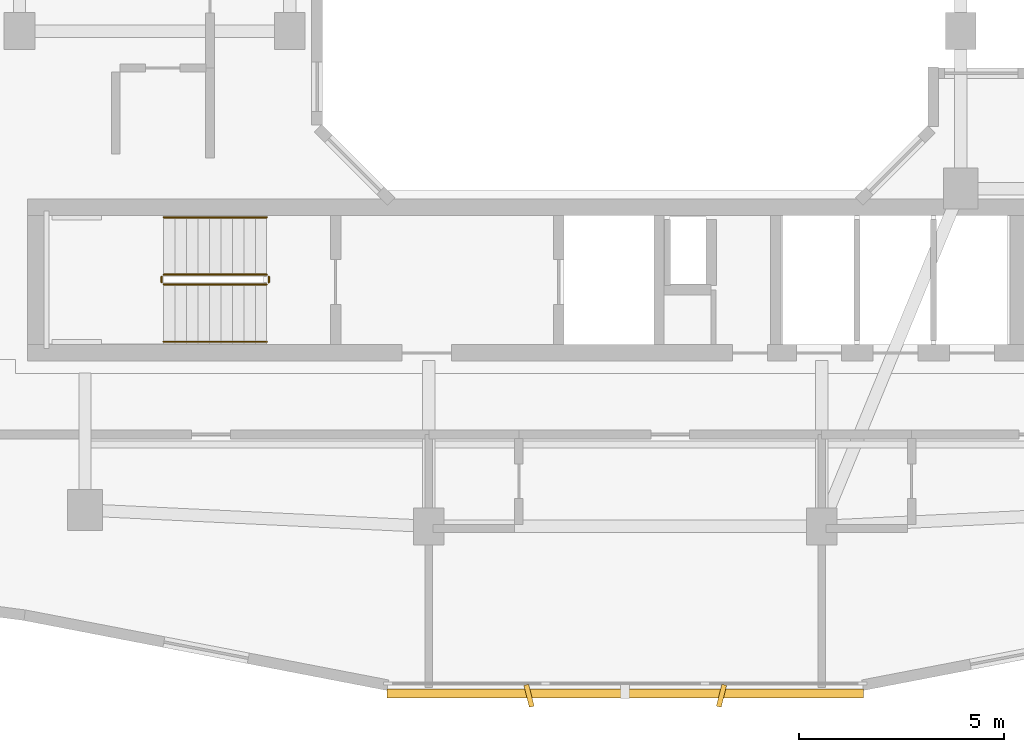
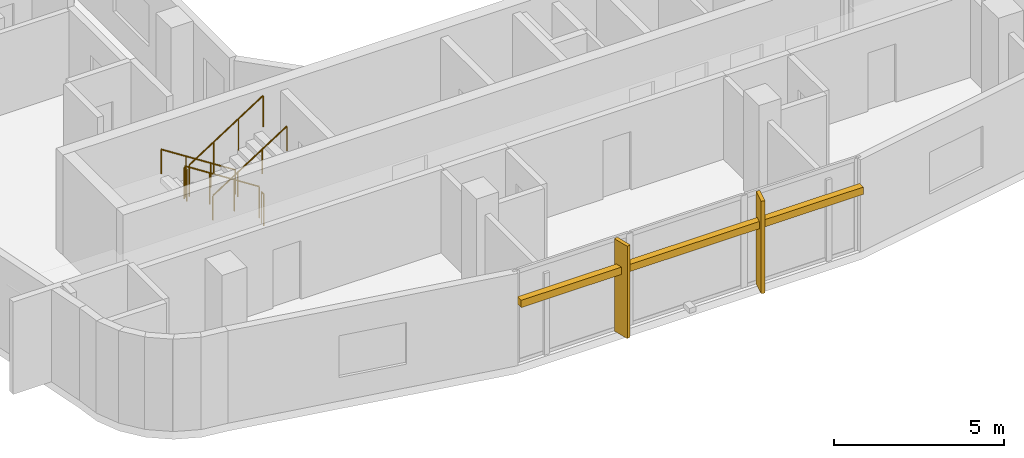
# One storey, part 9 of 12: 6 railings, 3 shading devices.
"""IFC4 building model written with IfcOpenShell, lengths in metres."""

from ifc_helpers import new_model, si_unit, derived_unit, direction, frame, origin, origin_2d, place, context, subcontext, project, spatial, rectangle, circle, extrude, material, type_object, element, save


model = new_model("IFC4")

# Units and contexts
model_context = context("Model", 3, precision=1e-05, world=origin(), true_north=direction((0.0, 1.0)))
body_context = subcontext(model_context, "Body", "Model", "MODEL_VIEW")
ifc_project = project(units=[si_unit("LENGTHUNIT", "METRE"), si_unit("AREAUNIT", "SQUARE_METRE"), si_unit("VOLUMEUNIT", "CUBIC_METRE"), si_unit("PLANEANGLEUNIT", "RADIAN"), si_unit("MASSUNIT", "GRAM", prefix="KILO"), derived_unit("THERMALTRANSMITTANCEUNIT", [(si_unit("POWERUNIT", "WATT"), 1), (si_unit("LENGTHUNIT", "METRE"), -2), (si_unit("THERMODYNAMICTEMPERATUREUNIT", "KELVIN"), -1)])], contexts=[model_context])

# Site, building, storey
site_placement = place(None, origin())
site = spatial("IfcSite", under=ifc_project, at=site_placement, CompositionType="ELEMENT")
building_placement = place(site_placement, origin())
building = spatial("IfcBuilding", under=site, at=building_placement, Name="Kivonza Crest Hotel", CompositionType="ELEMENT")
storey_placement = place(building_placement, frame((0.0, 0.0, 188.300048828125)))
storey = spatial("IfcBuildingStorey", under=building, at=storey_placement, Name="L51", CompositionType="ELEMENT", Elevation=188.300048828125)

# Railings
ifc_material_1 = material(Name="Brushed stainless steel handrail", Category="steel")
railing_type_1 = type_object("IfcRailingType", Name="RL-HAND-900", PredefinedType="HANDRAIL", material=ifc_material_1)
railing_1_placement = place(storey_placement, frame((12.239990234375, 16.949951171875, 0.179931640625)))
element("IfcRailing", 1, at=railing_1_placement, inside=storey, type_object=railing_type_1, Name="L51 ST-T1-S stair handrail 1", PredefinedType="HANDRAIL", context=body_context, shape_type="SweptSolid", body=[
    extrude(circle(Radius=0.02392578125, at=origin_2d()), frame((0.0, 0.0, 0.8759765625), z_axis=(-0.841162588446, 0.0, 0.540782303519), x_axis=(0.0, -1.0, 0.0)), (0.0, 0.0, 1.0), 2.995849609375),
    extrude(circle(Radius=0.02099609375, at=origin_2d()), origin(), (0.0, 0.0, 1.0), 0.851806640625),
    extrude(circle(Radius=0.02099609375, at=origin_2d()), frame((-0.840087890625, 0.0, 0.5400390625)), (0.0, 0.0, 1.0), 0.851806640625),
    extrude(circle(Radius=0.02099609375, at=origin_2d()), frame((-1.679931640625, 0.0, 1.080078125)), (0.0, 0.0, 1.0), 0.851806640625),
    extrude(circle(Radius=0.02099609375, at=origin_2d()), frame((-2.52001953125, 0.0, 1.6201171875)), (0.0, 0.0, 1.0), 0.851806640625),
])
railing_2_placement = place(storey_placement, frame((9.719970703125, 13.909912109375, 1.97998046875)))
element("IfcRailing", 2, at=railing_2_placement, inside=storey, type_object=railing_type_1, Name="L51 ST-T1-S stair handrail 2", PredefinedType="HANDRAIL", context=body_context, shape_type="SweptSolid", body=[
    extrude(circle(Radius=0.02392578125, at=origin_2d()), frame((0.0, 0.0, 0.8759765625), z_axis=(0.841199657755, 0.0, 0.540724639528), x_axis=(0.0, 1.0, 0.0)), (0.0, 0.0, 1.0), 2.995849609375),
    extrude(circle(Radius=0.02099609375, at=origin_2d()), origin(), (0.0, 0.0, 1.0), 0.851806640625),
    extrude(circle(Radius=0.02099609375, at=origin_2d()), frame((0.840087890625, 0.0, 0.5400390625)), (0.0, 0.0, 1.0), 0.851806640625),
    extrude(circle(Radius=0.02099609375, at=origin_2d()), frame((1.679931640625, 0.0, 1.079833984375)), (0.0, 0.0, 1.0), 0.851806640625),
    extrude(circle(Radius=0.02099609375, at=origin_2d()), frame((2.52001953125, 0.0, 1.619873046875)), (0.0, 0.0, 1.0), 0.851806640625),
])
ifc_material_2 = material(Name="Painted steel balustrade", Category="steel")
railing_type_2 = type_object("IfcRailingType", Name="RL-STAIR-1150", PredefinedType="BALUSTRADE", material=ifc_material_2)
railing_3_placement = place(storey_placement, frame((12.239990234375, 15.550048828125, 0.179931640625)))
element("IfcRailing", 3, at=railing_3_placement, inside=storey, type_object=railing_type_2, Name="L51 ST-T1-S stair guard 1", PredefinedType="BALUSTRADE", context=body_context, shape_type="SweptSolid", body=[
    extrude(circle(Radius=0.02392578125, at=origin_2d()), frame((0.0, 0.0, 1.1259765625), z_axis=(-0.841162588446, 0.0, 0.540782303519), x_axis=(0.0, -1.0, 0.0)), (0.0, 0.0, 1.0), 2.995849609375),
    extrude(circle(Radius=0.02099609375, at=origin_2d()), origin(), (0.0, 0.0, 1.0), 1.101806640625),
    extrude(circle(Radius=0.02099609375, at=origin_2d()), frame((-0.840087890625, 0.0, 0.5400390625)), (0.0, 0.0, 1.0), 1.101806640625),
    extrude(circle(Radius=0.02099609375, at=origin_2d()), frame((-1.679931640625, 0.0, 1.080078125)), (0.0, 0.0, 1.0), 1.101806640625),
    extrude(circle(Radius=0.02099609375, at=origin_2d()), frame((-2.52001953125, 0.0, 1.6201171875)), (0.0, 0.0, 1.0), 1.101806640625),
])
railing_4_placement = place(storey_placement, frame((9.669921875, 15.5, 1.800048828125)))
element("IfcRailing", 4, at=railing_4_placement, inside=storey, type_object=railing_type_2, Name="L51 ST-T1-S stair guard 2", PredefinedType="BALUSTRADE", context=body_context, shape_type="SweptSolid", body=[
    extrude(circle(Radius=0.02392578125, at=origin_2d()), frame((0.0, 0.0, 1.1259765625), z_axis=(0.0, -1.0, 0.0), x_axis=(1.0, 0.0, 0.0)), (0.0, 0.0, 1.0), 0.139892578125),
    extrude(circle(Radius=0.02099609375, at=origin_2d()), origin(), (0.0, 0.0, 1.0), 1.101806640625),
    extrude(circle(Radius=0.02099609375, at=origin_2d()), frame((0.0, -0.139892578125, 0.0)), (0.0, 0.0, 1.0), 1.101806640625),
])
railing_5_placement = place(storey_placement, frame((9.719970703125, 15.31005859375, 1.97998046875)))
element("IfcRailing", 5, at=railing_5_placement, inside=storey, type_object=railing_type_2, Name="L51 ST-T1-S stair guard 3", PredefinedType="BALUSTRADE", context=body_context, shape_type="SweptSolid", body=[
    extrude(circle(Radius=0.02392578125, at=origin_2d()), frame((0.0, 0.0, 1.1259765625), z_axis=(0.841199657755, 0.0, 0.540724639528), x_axis=(0.0, 1.0, 0.0)), (0.0, 0.0, 1.0), 2.995849609375),
    extrude(circle(Radius=0.02099609375, at=origin_2d()), origin(), (0.0, 0.0, 1.0), 1.101806640625),
    extrude(circle(Radius=0.02099609375, at=origin_2d()), frame((0.840087890625, 0.0, 0.5400390625)), (0.0, 0.0, 1.0), 1.101806640625),
    extrude(circle(Radius=0.02099609375, at=origin_2d()), frame((1.679931640625, 0.0, 1.079833984375)), (0.0, 0.0, 1.0), 1.101806640625),
    extrude(circle(Radius=0.02099609375, at=origin_2d()), frame((2.52001953125, 0.0, 1.619873046875)), (0.0, 0.0, 1.0), 1.101806640625),
])
railing_6_placement = place(storey_placement, frame((12.2900390625, 15.5, 0.0)))
element("IfcRailing", 6, at=railing_6_placement, inside=storey, type_object=railing_type_2, Name="L51 ST-T1-S stair guard 4", PredefinedType="BALUSTRADE", context=body_context, shape_type="SweptSolid", body=[
    extrude(circle(Radius=0.02392578125, at=origin_2d()), frame((0.0, 0.0, 1.1259765625), z_axis=(0.0, -1.0, 0.0), x_axis=(1.0, 0.0, 0.0)), (0.0, 0.0, 1.0), 0.139892578125),
    extrude(circle(Radius=0.02099609375, at=origin_2d()), origin(), (0.0, 0.0, 1.0), 1.101806640625),
    extrude(circle(Radius=0.02099609375, at=origin_2d()), frame((0.0, -0.139892578125, 0.0)), (0.0, 0.0, 1.0), 1.101806640625),
])

# Shading devices
ifc_material_3 = material(Name="Kiln-fired Nairobi red-ochre terracotta", Category="masonry")
shading_device_type_1 = type_object("IfcShadingDeviceType", Name="SH-BAGUETTE-300", PredefinedType="USERDEFINED", material=ifc_material_3)
shading_device_placement = place(storey_placement, frame((21.0, 5.320068359375, 2.19384765625), z_axis=(0.0, 0.0, 1.0), x_axis=(1.0, 0.0, 0.0)))
element("IfcShadingDevice", 7, at=shading_device_placement, inside=storey, type_object=shading_device_type_1, Name="L51 terracotta baguette screen CW-T1-L51-08", ObjectType="BAGUETTE", PredefinedType="USERDEFINED", context=body_context, shape_type="SweptSolid", body=[
    extrude(rectangle(XDim=11.639892578125, YDim=0.219970703125, at=origin_2d()), origin(), (0.0, 0.0, 1.0), 0.260009765625),
])
ifc_material_4 = material(Name="Kiln-fired terracotta over extruded aluminium spine", Category="masonry")
shading_device_type_2 = type_object("IfcShadingDeviceType", Name="SH-FIN-550", PredefinedType="USERDEFINED", material=ifc_material_4)
for number, where, z_axis, x_axis, name in (
    (8, (18.64794921875, 5.260009765625, 0.0), (0.0, 0.0, 1.0), (0.970295726276, 0.2419218956, 0.0), "L51 vertical solar shading fin CW-T1-L51-08-1"),
    (9, (23.35205078125, 5.260009765625, 0.0), (0.0, 0.0, 1.0), (0.970295726276, -0.2419218956, 0.0), "L51 vertical solar shading fin CW-T1-L51-08-2"),
):
    element("IfcShadingDevice", number, at=place(storey_placement, frame(where, z_axis=z_axis, x_axis=x_axis)), inside=storey, type_object=shading_device_type_2, Name=name, ObjectType="FIN", PredefinedType="USERDEFINED", context=body_context, shape_type="SweptSolid", body=[
        extrude(rectangle(XDim=0.1201171875, YDim=0.550048828125, at=origin_2d()), origin(), (0.0, 0.0, 1.0), 3.320068359375),
    ])

save(model, "model.ifc")
